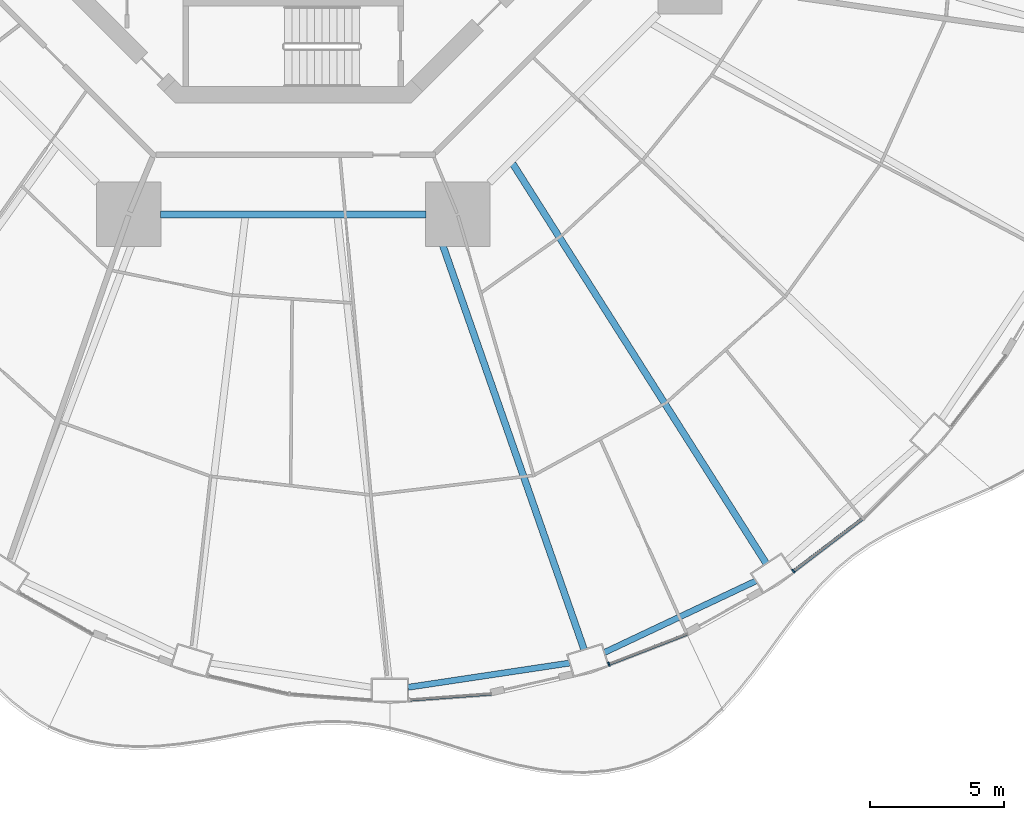
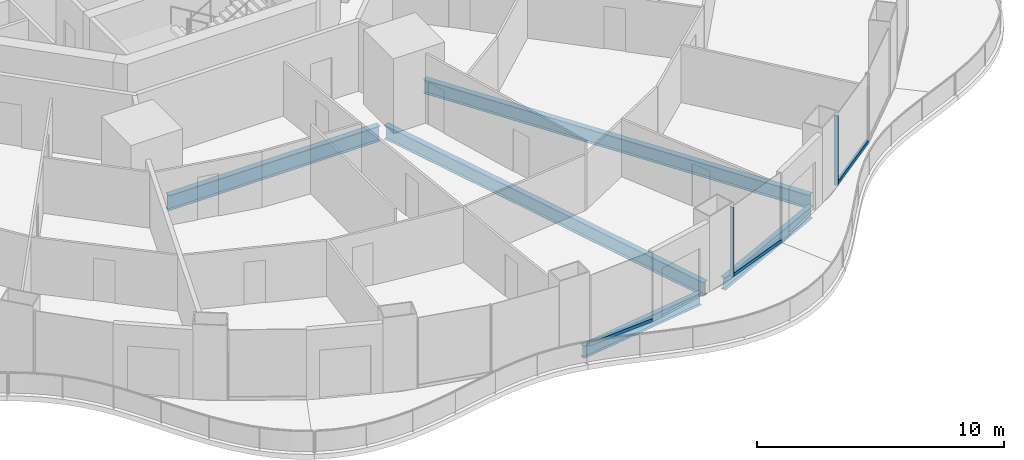
# One storey, part 4 of 22: 5 beams, 5 members, 3 elements without a shape of their own.
"""IFC4 building model written with IfcOpenShell, lengths in metres."""

from ifc_helpers import new_model, si_unit, direction, frame, origin, origin_2d, place, context, subcontext, project, spatial, rectangle, i_section, extrude, material, layer, layer_set, material_profile, profile_set, type_object, element, aggregate, save


model = new_model("IFC4")

# Units and contexts
model_context = context("Model", 3, precision=1e-05, world=origin(), true_north=direction((0.0, 1.0)))
body_context = subcontext(model_context, "Body", "Model", "MODEL_VIEW")
ifc_project = project(units=[si_unit("LENGTHUNIT", "METRE"), si_unit("AREAUNIT", "SQUARE_METRE"), si_unit("VOLUMEUNIT", "CUBIC_METRE"), si_unit("PLANEANGLEUNIT", "RADIAN"), si_unit("MASSUNIT", "GRAM", prefix="KILO")], contexts=[model_context])

# Site, building, storey
site_placement = place(None, origin())
site = spatial("IfcSite", under=ifc_project, at=site_placement, CompositionType="ELEMENT")
building_placement = place(site_placement, origin())
building = spatial("IfcBuilding", under=site, at=building_placement, Name="Nagisa Residences", CompositionType="ELEMENT")
storey_placement = place(building_placement, frame((0.0, 0.0, 34.39990234375)))
storey = spatial("IfcBuildingStorey", under=building, at=storey_placement, Name="L07", CompositionType="ELEMENT", Elevation=34.39990234375)

# Curtain wall, member
ifc_material_1 = material(Name="Concrete-coloured aluminium curtain wall system", Category="concrete")
ifc_layer = layer(ifc_material_1, 0.159912109375)
ifc_layer_set = layer_set([ifc_layer], Name="CW1 CURTAIN WALL")
curtain_wall_type = type_object("IfcCurtainWallType", Name="CW1 CURTAIN WALL", PredefinedType="NOTDEFINED", material=ifc_layer_set)
curtain_wall_1_placement = place(storey_placement, origin())
curtain_wall_1 = element("IfcCurtainWall", 1, at=curtain_wall_1_placement, inside=storey, type_object=curtain_wall_type, Name="cw:CW1:L07:38", PredefinedType="NOTDEFINED")
ifc_material_2 = material(Name="Concrete-coloured aluminium", Category="concrete")
ifc_material_profile_1 = material_profile(ifc_material_2, rectangle(XDim=0.159912109375, YDim=0.06005859375, at=origin_2d()), Name="CW1 MULLION 160x60")
ifc_profile_set_1 = profile_set([ifc_material_profile_1], Name="Concrete-coloured aluminium")
member_type_1 = type_object("IfcMemberType", Name="CW1 MULLION 160x60", PredefinedType="MULLION", material=ifc_profile_set_1)
member_1_placement = place(storey_placement, frame((11.7578125, -31.537841796875, 0.0), z_axis=(0.0, 0.0, 1.0), x_axis=(-0.360327770268, 0.932825759707, 0.0)))
member_1 = element("IfcMember", 2, at=member_1_placement, type_object=member_type_1, Name="CW1 mullion", PredefinedType="MULLION", context=body_context, shape_type="SweptSolid", body=[
    extrude(rectangle(XDim=0.159912109375, YDim=0.06005859375, at=origin_2d()), origin(), (0.0, 0.0, 1.0), 3.440185546875),
])

curtain_wall_2_placement = place(storey_placement, origin())
curtain_wall_2 = element("IfcCurtainWall", 3, at=curtain_wall_2_placement, inside=storey, type_object=curtain_wall_type, Name="cw:CW1:L07:40", PredefinedType="NOTDEFINED")
member_2_placement = place(storey_placement, frame((18.632568359375, -28.0732421875, 0.0), z_axis=(0.0, 0.0, 1.0), x_axis=(-0.605255421737, 0.79603132756, 0.0)))
member_2 = element("IfcMember", 4, at=member_2_placement, type_object=member_type_1, Name="CW1 mullion", PredefinedType="MULLION", context=body_context, shape_type="SweptSolid", body=[
    extrude(rectangle(XDim=0.159912109375, YDim=0.06005859375, at=origin_2d()), origin(), (0.0, 0.0, 1.0), 3.440185546875),
])

curtain_wall_3_placement = place(storey_placement, origin())
curtain_wall_3 = element("IfcCurtainWall", 5, at=curtain_wall_3_placement, inside=storey, type_object=curtain_wall_type, Name="cw:CW1:L07:36", PredefinedType="NOTDEFINED")
ifc_material_3 = material(Name="Concrete-coloured aluminium", Category="concrete")
ifc_material_profile_2 = material_profile(ifc_material_3, rectangle(XDim=0.1201171875, YDim=0.14990234375, at=origin_2d()), Name="CW1 TRANSOM 120x150")
ifc_profile_set_2 = profile_set([ifc_material_profile_2], Name="Concrete-coloured aluminium")
member_type_2 = type_object("IfcMemberType", Name="CW1 TRANSOM 120x150", PredefinedType="USERDEFINED", material=ifc_profile_set_2)
member_3_placement = place(storey_placement, frame((4.2919921875, -32.8681640625, 0.0751953125), z_axis=(0.997231270995, 0.07436257224, 0.0), x_axis=(-0.07436257224, 0.997231270995, 0.0)))
member_3 = element("IfcMember", 6, at=member_3_placement, type_object=member_type_2, Name="CW1 transom", ObjectType="TRANSOM", PredefinedType="USERDEFINED", context=body_context, shape_type="SweptSolid", body=[
    extrude(rectangle(XDim=0.1201171875, YDim=0.14990234375, at=origin_2d()), origin(), (0.0, 0.0, 1.0), 3.095947265625),
])
aggregate(curtain_wall_3, [member_3])

# Member
member_4_placement = place(storey_placement, frame((11.72998046875, -31.548583984375, 0.0751953125), z_axis=(0.932825366452, 0.360328788337, 0.0), x_axis=(-0.360328788337, 0.932825366452, 0.0)))
member_4 = element("IfcMember", 7, at=member_4_placement, type_object=member_type_2, Name="CW1 transom", ObjectType="TRANSOM", PredefinedType="USERDEFINED", context=body_context, shape_type="SweptSolid", body=[
    extrude(rectangle(XDim=0.1201171875, YDim=0.14990234375, at=origin_2d()), origin(), (0.0, 0.0, 1.0), 3.150634765625),
])

aggregate(curtain_wall_1, [member_1, member_4])

member_5_placement = place(storey_placement, frame((18.60888671875, -28.091552734375, 0.0751953125), z_axis=(0.79599487499, 0.605303361125, 0.0), x_axis=(-0.605303361125, 0.79599487499, 0.0)))
member_5 = element("IfcMember", 8, at=member_5_placement, type_object=member_type_2, Name="CW1 transom", ObjectType="TRANSOM", PredefinedType="USERDEFINED", context=body_context, shape_type="SweptSolid", body=[
    extrude(rectangle(XDim=0.1201171875, YDim=0.14990234375, at=origin_2d()), origin(), (0.0, 0.0, 1.0), 3.26220703125),
])

aggregate(curtain_wall_2, [member_2, member_5])

# Beams
ifc_material_4 = material(Name="Steel ASTM A572 Gr 50", Category="steel")
ifc_material_profile_3 = material_profile(ifc_material_4, i_section(OverallWidth=0.264892578125, OverallDepth=0.7529296875, WebThickness=0.01318359375, FlangeThickness=0.01708984375, at=origin_2d()), Name="W760x147")
ifc_profile_set_3 = profile_set([ifc_material_profile_3], Name="Steel ASTM A572 Gr 50")
beam_type_1 = type_object("IfcBeamType", Name="Inner ring beam W760x147", PredefinedType="BEAM", material=ifc_profile_set_3)
beam_1_placement = place(storey_placement, frame((-4.94287109375, -14.781982421875, -0.636474609375), z_axis=(1.0, 0.0, 0.0), x_axis=(0.0, 1.0, 0.0)))
element("IfcBeam", 9, at=beam_1_placement, inside=storey, type_object=beam_type_1, Name="beam:L07:ib6", PredefinedType="BEAM", context=body_context, shape_type="SweptSolid", body=[
    extrude(i_section(OverallWidth=0.264892578125, OverallDepth=0.7529296875, WebThickness=0.01318359375, FlangeThickness=0.01708984375, at=origin_2d()), origin(), (0.0, 0.0, 1.0), 9.8857421875),
])
ifc_material_5 = material(Name="Steel ASTM A572 Gr 50", Category="steel")
ifc_material_profile_4 = material_profile(ifc_material_5, i_section(OverallWidth=0.22802734375, OverallDepth=0.60302734375, WebThickness=0.010498046875, FlangeThickness=0.014892578125, at=origin_2d()), Name="W610x101")
ifc_profile_set_4 = profile_set([ifc_material_profile_4], Name="Steel ASTM A572 Gr 50")
beam_type_2 = type_object("IfcBeamType", Name="Perimeter ring beam W610x101", PredefinedType="BEAM", material=ifc_profile_set_4)
beam_2_placement = place(storey_placement, frame((4.2802734375, -32.39794921875, -0.5615234375), z_axis=(0.988914559467, 0.14848566959, 0.0), x_axis=(-0.14848566959, 0.988914559467, 0.0)))
element("IfcBeam", 10, at=beam_2_placement, inside=storey, type_object=beam_type_2, Name="beam:L07:pb19", PredefinedType="BEAM", context=body_context, shape_type="SweptSolid", body=[
    extrude(i_section(OverallWidth=0.22802734375, OverallDepth=0.60302734375, WebThickness=0.010498046875, FlangeThickness=0.014892578125, at=origin_2d()), origin(), (0.0, 0.0, 1.0), 6.08349609375),
])
beam_3_placement = place(storey_placement, frame((11.597900390625, -31.098876953125, -0.5615234375), z_axis=(0.904215426643, 0.427076646774, 0.0), x_axis=(-0.427076646774, 0.904215426643, 0.0)))
element("IfcBeam", 11, at=beam_3_placement, inside=storey, type_object=beam_type_2, Name="beam:L07:pb20", PredefinedType="BEAM", context=body_context, shape_type="SweptSolid", body=[
    extrude(i_section(OverallWidth=0.22802734375, OverallDepth=0.60302734375, WebThickness=0.010498046875, FlangeThickness=0.014892578125, at=origin_2d()), origin(), (0.0, 0.0, 1.0), 6.2275390625),
])
ifc_material_6 = material(Name="Steel ASTM A572 Gr 50", Category="steel")
ifc_material_profile_5 = material_profile(ifc_material_6, i_section(OverallWidth=0.25390625, OverallDepth=0.68408203125, WebThickness=0.012451171875, FlangeThickness=0.018798828125, at=origin_2d()), Name="W690x140")
ifc_profile_set_5 = profile_set([ifc_material_profile_5], Name="Steel ASTM A572 Gr 50")
beam_type_3 = type_object("IfcBeamType", Name="Radial beam W690x140", PredefinedType="BEAM", material=ifc_profile_set_5)
beam_4_placement = place(storey_placement, frame((10.834228515625, -30.986328125, -0.601806640625), z_axis=(-0.330051195485, 0.943963033364, 0.0), x_axis=(-0.943963033364, -0.330051195485, 0.0)))
element("IfcBeam", 12, at=beam_4_placement, inside=storey, type_object=beam_type_3, Name="beam:L07:rb20", PredefinedType="BEAM", context=body_context, shape_type="SweptSolid", body=[
    extrude(i_section(OverallWidth=0.25390625, OverallDepth=0.68408203125, WebThickness=0.012451171875, FlangeThickness=0.018798828125, at=origin_2d()), origin(), (0.0, 0.0, 1.0), 17.045654296875),
])
beam_5_placement = place(storey_placement, frame((17.61962890625, -27.78271484375, -0.601806640625), z_axis=(-0.53556610664, 0.844493306911, 0.0), x_axis=(-0.844493306911, -0.53556610664, 0.0)))
element("IfcBeam", 13, at=beam_5_placement, inside=storey, type_object=beam_type_3, Name="beam:L07:rb21", PredefinedType="BEAM", context=body_context, shape_type="SweptSolid", body=[
    extrude(i_section(OverallWidth=0.25390625, OverallDepth=0.68408203125, WebThickness=0.012451171875, FlangeThickness=0.018798828125, at=origin_2d()), origin(), (0.0, 0.0, 1.0), 17.63525390625),
])

save(model, "model.ifc")
